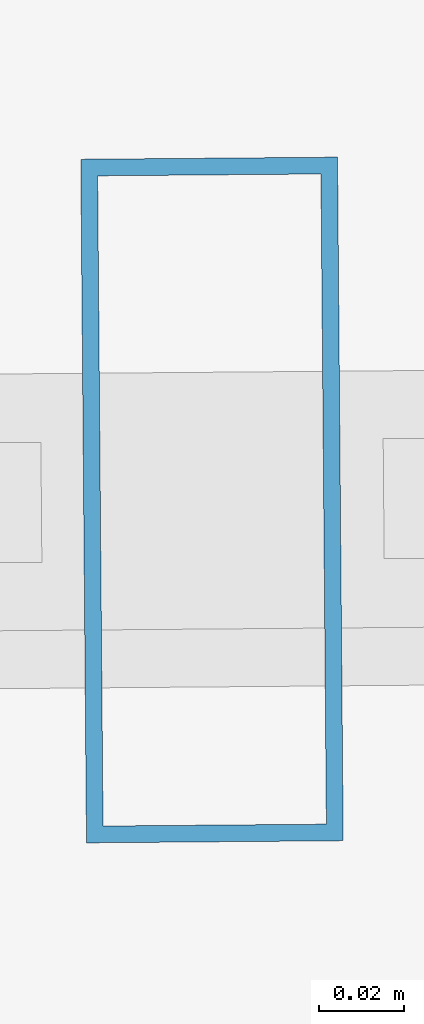
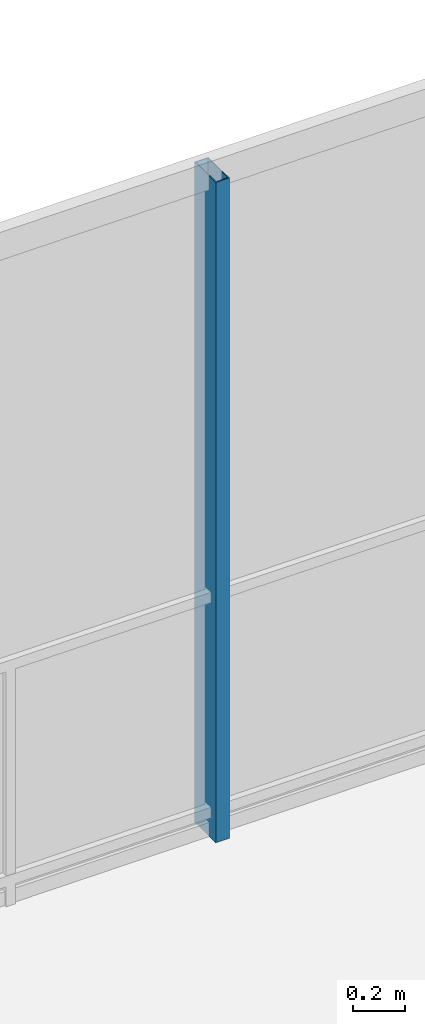
# One storey, part 19 of 31: 1 member, 1 element without a shape of its own.
"""IFC4 building model written with IfcOpenShell, lengths in metres."""

from ifc_helpers import new_model, si_unit, direction, frame, origin, origin_2d, place, context, subcontext, project, spatial, hollow_rectangle, extrude, material, layer, layer_set, material_profile, profile_set, type_object, element, aggregate, save


model = new_model("IFC4")

# Units and contexts
model_context = context("Model", 3, precision=1e-05, world=origin(), true_north=direction((0.0, 1.0)))
body_context = subcontext(model_context, "Body", "Model", "MODEL_VIEW")
ifc_project = project(units=[si_unit("LENGTHUNIT", "METRE"), si_unit("AREAUNIT", "SQUARE_METRE"), si_unit("VOLUMEUNIT", "CUBIC_METRE"), si_unit("PLANEANGLEUNIT", "RADIAN"), si_unit("MASSUNIT", "GRAM", prefix="KILO")], contexts=[model_context])

# Site, building, storey
site_placement = place(None, origin())
site = spatial("IfcSite", under=ifc_project, at=site_placement, CompositionType="ELEMENT")
building_placement = place(site_placement, origin())
building = spatial("IfcBuilding", under=site, at=building_placement, Name="Qarnah Convention Tower", CompositionType="ELEMENT")
storey_placement = place(building_placement, frame((0.0, 0.0, 68.39990234375)))
storey = spatial("IfcBuildingStorey", under=building, at=storey_placement, Name="L17", CompositionType="ELEMENT", Elevation=68.39990234375)

# Curtain wall, member
ifc_material_1 = material(Name="Tempered Low-E dark glass", Category="glass")
ifc_layer = layer(ifc_material_1, 0.16796875)
ifc_layer_set = layer_set([ifc_layer], Name="Tempered Low-E dark glass")
curtain_wall_type = type_object("IfcCurtainWallType", Name="CWS-01", PredefinedType="NOTDEFINED", material=ifc_layer_set)
curtain_wall_placement = place(storey_placement, origin())
curtain_wall = element("IfcCurtainWall", 1, at=curtain_wall_placement, inside=storey, type_object=curtain_wall_type, Name="L17 unitised curtain wall CW-L17-F2", PredefinedType="NOTDEFINED")
ifc_material_2 = material(Name="Black anodised aluminium", Category="aluminium")
ifc_material_profile = material_profile(ifc_material_2, hollow_rectangle(XDim=0.06005859375, YDim=0.159912109375, WallThickness=0.00390625, at=origin_2d()), Name="MUL-60X160")
ifc_profile_set = profile_set([ifc_material_profile], Name="Black anodised aluminium")
member_type = type_object("IfcMemberType", Name="MUL-T1", PredefinedType="MULLION", material=ifc_profile_set)
member_placement = place(storey_placement, frame((34.627685546875, 44.45751953125, 0.0), z_axis=(0.0, 0.0, 1.0), x_axis=(0.999965303838, 0.008330133284, 0.0)))
member = element("IfcMember", 2, at=member_placement, type_object=member_type, Name="CW-L17-F2 mullion 3", PredefinedType="MULLION", context=body_context, shape_type="SweptSolid", body=[
    extrude(hollow_rectangle(XDim=0.06005859375, YDim=0.159912109375, WallThickness=0.00390625, at=origin_2d()), origin(), (0.0, 0.0, 1.0), 3.090087890625),
])
aggregate(curtain_wall, [member])

save(model, "model.ifc")
